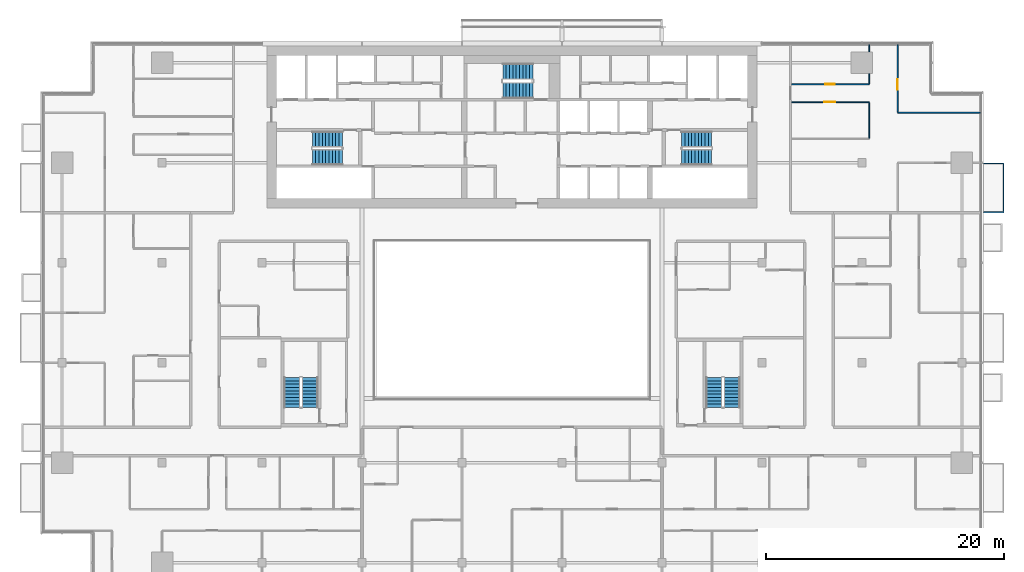
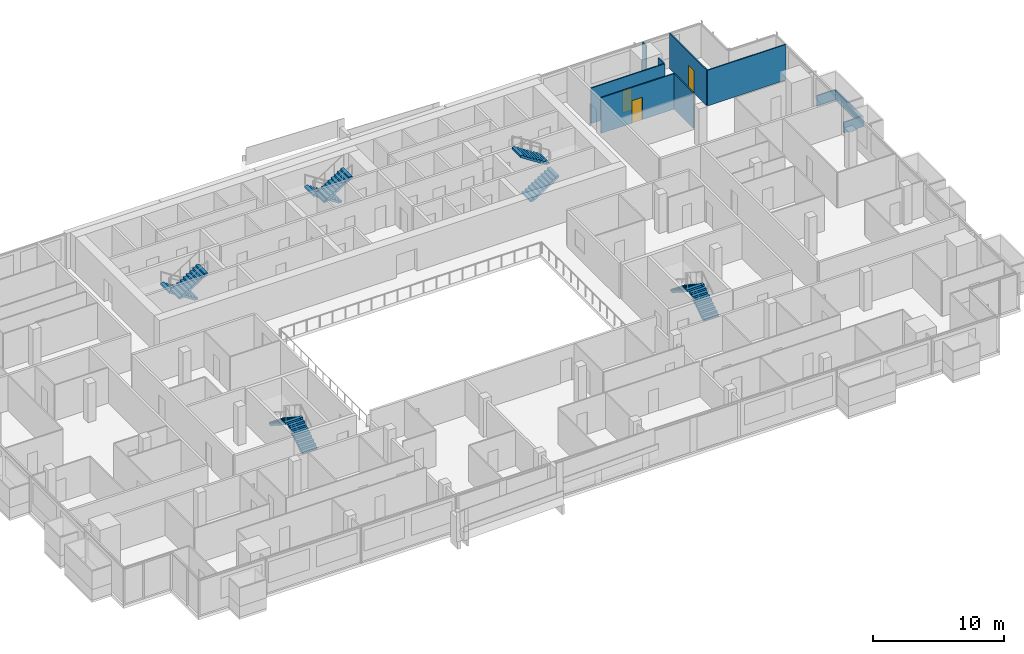
# One storey, part 25 of 28: 10 stair flights, 8 walls, 3 doors, 3 openings, 5 elements without a shape of their own.
"""IFC4 building model written with IfcOpenShell, lengths in metres."""

from ifc_helpers import new_model, si_unit, direction, frame, frame_2d, origin, place, context, subcontext, project, spatial, polyline, rectangle, outline, extrude, material, layer, layer_set, type_object, element, fill, aggregate, save


model = new_model("IFC4")

# Units and contexts
model_context = context("Model", 3, precision=1e-05, world=origin(), true_north=direction((0.0, 1.0)))
body_context = subcontext(model_context, "Body", "Model", "MODEL_VIEW")
ifc_project = project(units=[si_unit("LENGTHUNIT", "METRE"), si_unit("AREAUNIT", "SQUARE_METRE"), si_unit("VOLUMEUNIT", "CUBIC_METRE"), si_unit("PLANEANGLEUNIT", "RADIAN"), si_unit("MASSUNIT", "GRAM", prefix="KILO")], contexts=[model_context])

# Site, building, storey
site_placement = place(None, origin())
site = spatial("IfcSite", under=ifc_project, at=site_placement, CompositionType="ELEMENT")
building_placement = place(site_placement, origin())
building = spatial("IfcBuilding", under=site, at=building_placement, Name="Saffron Gate Tower", CompositionType="ELEMENT")
storey_placement = place(building_placement, frame((0.0, 0.0, 151.050048828125)))
storey = spatial("IfcBuildingStorey", under=building, at=storey_placement, Name="L36", CompositionType="ELEMENT", Elevation=151.050048828125)

# Wall
ifc_material_1 = material(Name="Plasterboard on steel studs", Category="steel")
ifc_layer_1 = layer(ifc_material_1, 0.10009765625)
ifc_layer_set_1 = layer_set([ifc_layer_1], Name="PW1 Partition 100")
wall_type_1 = type_object("IfcWallType", Name="PW1 Partition 100", PredefinedType="PARTITIONING", material=ifc_layer_set_1)
wall_1_placement = place(storey_placement, frame((120.0, 69.60009765625, 0.0), z_axis=(0.0, 0.0, 1.0), x_axis=(1.0, 0.0, 0.0)))
element("IfcWall", 1, at=wall_1_placement, inside=storey, type_object=wall_type_1, Name="Partition C1-53", PredefinedType="PARTITIONING", context=body_context, shape_type="SweptSolid", body=[
    extrude(rectangle(XDim=6.919921875, YDim=0.10009765625, at=frame_2d((3.4599609375, 0.0))), origin(), (0.0, 0.0, 1.0), 3.320068359375),
])

# Wall, opening, door
wall_2_placement = place(storey_placement, frame((117.60009765625, 70.5, 0.0), z_axis=(0.0, 0.0, 1.0), x_axis=(-1.0, 0.0, 0.0)))
wall_2 = element("IfcWall", 2, at=wall_2_placement, inside=storey, type_object=wall_type_1, Name="Partition C1-54", PredefinedType="PARTITIONING", context=body_context, shape_type="SweptSolid", body=[
    extrude(rectangle(XDim=6.5, YDim=0.10009765625, at=frame_2d((3.25, 0.0))), origin(), (0.0, 0.0, 1.0), 3.320068359375),
])
opening_1_placement = place(wall_2_placement, frame((2.85009765625, 0.0, 0.0)))
opening_1 = element("IfcOpeningElement", 3, at=opening_1_placement, cuts=wall_2, Name="Opening C1-36", PredefinedType="OPENING", context=body_context, shape_type="SweptSolid", body=[
    extrude(rectangle(XDim=0.89990234375, YDim=2.10009765625, at=frame_2d((0.449951171875, 1.050048828125))), frame((0.0, 0.06005859375, 0.0), z_axis=(0.0, -1.0, 0.0), x_axis=(1.0, 0.0, 0.0)), (0.0, 0.0, 1.0), 0.1201171875),
])
ifc_material_2 = material(Name="Timber door set", Category="wood")
door_type_1 = type_object("IfcDoorType", Name="RD1 Room door 900x2100", OperationType="NOTDEFINED", PredefinedType="DOOR", material=ifc_material_2)
door_1_placement = place(opening_1_placement, origin())
door_1 = element("IfcDoor", 4, at=door_1_placement, inside=storey, type_object=door_type_1, Name="Door C1-36", OperationType="SINGLE_SWING_RIGHT", OverallHeight=2.10009765625, OverallWidth=0.89990234375, PredefinedType="DOOR", context=body_context, shape_type="SweptSolid", body=[
    extrude(rectangle(XDim=0.89990234375, YDim=2.10009765625, at=frame_2d((0.449951171875, 1.050048828125))), frame((0.0, 0.02490234375, 0.0), z_axis=(0.0, -1.0, 0.0), x_axis=(1.0, 0.0, 0.0)), (0.0, 0.0, 1.0), 0.050048828125),
])
fill(opening_1, door_1)

wall_3_placement = place(storey_placement, frame((111.10009765625, 72.0, 0.0), z_axis=(0.0, 0.0, 1.0), x_axis=(1.0, 0.0, 0.0)))
wall_3 = element("IfcWall", 5, at=wall_3_placement, inside=storey, type_object=wall_type_1, Name="Partition C1-55", PredefinedType="PARTITIONING", context=body_context, shape_type="SweptSolid", body=[
    extrude(rectangle(XDim=6.5, YDim=0.10009765625, at=frame_2d((3.25, 0.0))), origin(), (0.0, 0.0, 1.0), 3.320068359375),
])
opening_2_placement = place(wall_3_placement, frame((2.800048828125, 0.0, 0.0)))
opening_2 = element("IfcOpeningElement", 6, at=opening_2_placement, cuts=wall_3, Name="Opening C1-51", PredefinedType="OPENING", context=body_context, shape_type="SweptSolid", body=[
    extrude(rectangle(XDim=0.800048828125, YDim=2.10009765625, at=frame_2d((0.39990234375, 1.050048828125))), frame((0.0, 0.06005859375, 0.0), z_axis=(0.0, -1.0, 0.0), x_axis=(1.0, 0.0, 0.0)), (0.0, 0.0, 1.0), 0.1201171875),
])
door_type_2 = type_object("IfcDoorType", Name="RD2 Bathroom door 800x2100", OperationType="NOTDEFINED", PredefinedType="DOOR", material=ifc_material_2)
door_2_placement = place(opening_2_placement, origin())
door_2 = element("IfcDoor", 7, at=door_2_placement, inside=storey, type_object=door_type_2, Name="Door C1-51", OperationType="SINGLE_SWING_LEFT", OverallHeight=2.10009765625, OverallWidth=0.800048828125, PredefinedType="DOOR", context=body_context, shape_type="SweptSolid", body=[
    extrude(rectangle(XDim=0.800048828125, YDim=2.10009765625, at=frame_2d((0.39990234375, 1.050048828125))), frame((0.0, 0.02490234375, 0.0), z_axis=(0.0, -1.0, 0.0), x_axis=(1.0, 0.0, 0.0)), (0.0, 0.0, 1.0), 0.050048828125),
])
fill(opening_2, door_2)

# Walls
wall_4_placement = place(storey_placement, frame((117.60009765625, 70.449951171875, 0.0), z_axis=(0.0, 0.0, 1.0), x_axis=(0.0, -1.0, 0.0)))
element("IfcWall", 8, at=wall_4_placement, inside=storey, type_object=wall_type_1, Name="Partition C1-107", PredefinedType="PARTITIONING", context=body_context, shape_type="SweptSolid", body=[
    extrude(rectangle(XDim=2.98779296875, YDim=0.10009765625, at=frame_2d((1.493896484375, 0.0))), origin(), (0.0, 0.0, 1.0), 3.320068359375),
])
wall_5_placement = place(storey_placement, frame((117.60009765625, 72.8798828125, 0.0), z_axis=(0.0, 0.0, 1.0), x_axis=(0.0, -1.0, 0.0)))
element("IfcWall", 9, at=wall_5_placement, inside=storey, type_object=wall_type_1, Name="Partition C1-108", PredefinedType="PARTITIONING", context=body_context, shape_type="SweptSolid", body=[
    extrude(rectangle(XDim=0.829833984375, YDim=0.10009765625, at=frame_2d((0.4150390625, 0.0))), origin(), (0.0, 0.0, 1.0), 3.320068359375),
])
wall_6_placement = place(storey_placement, frame((117.60009765625, 75.320068359375, 0.0), z_axis=(0.0, 0.0, 1.0), x_axis=(0.0, -1.0, 0.0)))
element("IfcWall", 10, at=wall_6_placement, inside=storey, type_object=wall_type_1, Name="Partition C1-109", PredefinedType="PARTITIONING", context=body_context, shape_type="SweptSolid", body=[
    extrude(rectangle(XDim=0.60009765625, YDim=0.10009765625, at=frame_2d((0.300048828125, 0.0))), origin(), (0.0, 0.0, 1.0), 3.320068359375),
])

# Wall, opening, door
wall_7_placement = place(storey_placement, frame((120.0, 75.320068359375, 0.0), z_axis=(0.0, 0.0, 1.0), x_axis=(0.0, -1.0, 0.0)))
wall_7 = element("IfcWall", 11, at=wall_7_placement, inside=storey, type_object=wall_type_1, Name="Partition C1-113", PredefinedType="PARTITIONING", context=body_context, shape_type="SweptSolid", body=[
    extrude(rectangle(XDim=5.670166015625, YDim=0.10009765625, at=frame_2d((2.8349609375, 0.0))), origin(), (0.0, 0.0, 1.0), 3.320068359375),
])
opening_3_placement = place(wall_7_placement, frame((2.89111328125, 0.0, 0.0)))
opening_3 = element("IfcOpeningElement", 12, at=opening_3_placement, cuts=wall_7, Name="Opening C1-35", PredefinedType="OPENING", context=body_context, shape_type="SweptSolid", body=[
    extrude(rectangle(XDim=0.89990234375, YDim=2.10009765625, at=frame_2d((0.449951171875, 1.050048828125))), frame((0.0, 0.06005859375, 0.0), z_axis=(0.0, -1.0, 0.0), x_axis=(1.0, 0.0, 0.0)), (0.0, 0.0, 1.0), 0.1201171875),
])
door_3_placement = place(opening_3_placement, origin())
door_3 = element("IfcDoor", 13, at=door_3_placement, inside=storey, type_object=door_type_1, Name="Door C1-35", OperationType="SINGLE_SWING_RIGHT", OverallHeight=2.10009765625, OverallWidth=0.89990234375, PredefinedType="DOOR", context=body_context, shape_type="SweptSolid", body=[
    extrude(rectangle(XDim=0.89990234375, YDim=2.10009765625, at=frame_2d((0.449951171875, 1.050048828125))), frame((0.0, 0.02490234375, 0.0), z_axis=(0.0, -1.0, 0.0), x_axis=(1.0, 0.0, 0.0)), (0.0, 0.0, 1.0), 0.050048828125),
])
fill(opening_3, door_3)

# Wall
ifc_material_3 = material(Name="Rendered insulated panel, white")
ifc_layer_2 = layer(ifc_material_3, 0.10009765625)
ifc_layer_set_2 = layer_set([ifc_layer_2], Name="WB3 box parapet white")
wall_type_2 = type_object("IfcWallType", Name="WB3 box parapet white", PredefinedType="SOLIDWALL", material=ifc_layer_set_2)
wall_8_placement = place(storey_placement, origin())
element("IfcWall", 14, at=wall_8_placement, inside=storey, type_object=wall_type_2, Name="WINDOW BOX parapet", PredefinedType="SOLIDWALL", context=body_context, shape_type="SweptSolid", body=[
    extrude(outline(polyline([(127.199951171875, 61.199951171875), (127.199951171875, 61.300048828125), (128.8330078125, 61.300048828125), (128.8330078125, 65.300048828125), (127.199951171875, 65.300048828125), (127.199951171875, 65.39990234375), (128.93310546875, 65.39990234375), (128.93310546875, 61.199951171875), (127.199951171875, 61.199951171875)])), origin(), (0.0, 0.0, 1.0), 1.0),
])

# Stair, stair flights
ifc_material_4 = material(Name="Concrete C40", Category="concrete")
stair_type = type_object("IfcStairType", Name="ST7 Stair 1350 wide, 20 risers of 180", PredefinedType="HALF_TURN_STAIR", material=ifc_material_4)
stair_1_placement = place(storey_placement, origin())
stair_1 = element("IfcStair", 15, at=stair_1_placement, inside=storey, type_object=stair_type, Name="L36 Exit stair A", PredefinedType="HALF_TURN_STAIR")
stair_flight_type = type_object("IfcStairFlightType", Name="SF3 Stair flight 1350 wide, riser 180 going 280", PredefinedType="STRAIGHT", material=ifc_material_4)
stair_flight_1_placement = place(storey_placement, frame((73.35009765625, 67.375, 0.0), z_axis=(0.0, 0.0, 1.0), x_axis=(-1.0, 0.0, 0.0)))
stair_flight_1 = element("IfcStairFlight", 16, at=stair_flight_1_placement, type_object=stair_flight_type, Name="ST-A flight 1", NumberOfRisers=10, NumberOfTreads=9, PredefinedType="STRAIGHT", RiserHeight=0.18, TreadLength=0.28, context=body_context, shape_type="SweptSolid", body=[
    extrude(outline(polyline([(0.0, 0.0), (0.0, 0.179931640625), (0.280029296875, 0.179931640625), (0.280029296875, 0.360107421875), (0.56005859375, 0.360107421875), (0.56005859375, 0.5400390625), (0.840087890625, 0.5400390625), (0.840087890625, 0.719970703125), (1.1201171875, 0.719970703125), (1.1201171875, 0.89990234375), (1.39990234375, 0.89990234375), (1.39990234375, 1.080078125), (1.679931640625, 1.080078125), (1.679931640625, 1.260009765625), (1.9599609375, 1.260009765625), (1.9599609375, 1.43994140625), (2.239990234375, 1.43994140625), (2.239990234375, 1.6201171875), (2.52001953125, 1.6201171875), (2.52001953125, 1.800048828125), (2.52001953125, 1.44189453125), (0.277099609375, 0.0), (0.0, 0.0)])), frame((0.0, 0.675048828125, 0.0), z_axis=(0.0, -1.0, 0.0), x_axis=(1.0, 0.0, 0.0)), (0.0, 0.0, 1.0), 1.35009765625),
])
stair_flight_2_placement = place(storey_placement, frame((70.830078125, 65.875, 1.800048828125), z_axis=(0.0, 0.0, 1.0), x_axis=(1.0, 0.0, 0.0)))
stair_flight_2 = element("IfcStairFlight", 17, at=stair_flight_2_placement, type_object=stair_flight_type, Name="ST-A flight 2", NumberOfRisers=10, NumberOfTreads=9, PredefinedType="STRAIGHT", RiserHeight=0.18, TreadLength=0.28, context=body_context, shape_type="SweptSolid", body=[
    extrude(outline(polyline([(0.0, 0.0), (0.0, 0.179931640625), (0.280029296875, 0.179931640625), (0.280029296875, 0.360107421875), (0.56005859375, 0.360107421875), (0.56005859375, 0.5400390625), (0.840087890625, 0.5400390625), (0.840087890625, 0.719970703125), (1.1201171875, 0.719970703125), (1.1201171875, 0.89990234375), (1.39990234375, 0.89990234375), (1.39990234375, 1.080078125), (1.679931640625, 1.080078125), (1.679931640625, 1.260009765625), (1.9599609375, 1.260009765625), (1.9599609375, 1.43994140625), (2.239990234375, 1.43994140625), (2.239990234375, 1.6201171875), (2.52001953125, 1.6201171875), (2.52001953125, 1.800048828125), (2.52001953125, 1.44189453125), (0.277099609375, 0.0), (0.0, 0.0)])), frame((0.0, 0.675048828125, 0.0), z_axis=(0.0, -1.0, 0.0), x_axis=(1.0, 0.0, 0.0)), (0.0, 0.0, 1.0), 1.35009765625),
])
aggregate(stair_1, [stair_flight_1, stair_flight_2])

stair_2_placement = place(storey_placement, origin())
stair_2 = element("IfcStair", 18, at=stair_2_placement, inside=storey, type_object=stair_type, Name="L36 Exit stair B", PredefinedType="HALF_TURN_STAIR")
stair_flight_3_placement = place(storey_placement, frame((101.85009765625, 65.875, 0.0), z_axis=(0.0, 0.0, 1.0), x_axis=(1.0, 0.0, 0.0)))
stair_flight_3 = element("IfcStairFlight", 19, at=stair_flight_3_placement, type_object=stair_flight_type, Name="ST-B flight 1", NumberOfRisers=10, NumberOfTreads=9, PredefinedType="STRAIGHT", RiserHeight=0.18, TreadLength=0.28, context=body_context, shape_type="SweptSolid", body=[
    extrude(outline(polyline([(0.0, 0.0), (0.0, 0.179931640625), (0.280029296875, 0.179931640625), (0.280029296875, 0.360107421875), (0.56005859375, 0.360107421875), (0.56005859375, 0.5400390625), (0.840087890625, 0.5400390625), (0.840087890625, 0.719970703125), (1.1201171875, 0.719970703125), (1.1201171875, 0.89990234375), (1.39990234375, 0.89990234375), (1.39990234375, 1.080078125), (1.679931640625, 1.080078125), (1.679931640625, 1.260009765625), (1.9599609375, 1.260009765625), (1.9599609375, 1.43994140625), (2.239990234375, 1.43994140625), (2.239990234375, 1.6201171875), (2.52001953125, 1.6201171875), (2.52001953125, 1.800048828125), (2.52001953125, 1.44189453125), (0.277099609375, 0.0), (0.0, 0.0)])), frame((0.0, 0.675048828125, 0.0), z_axis=(0.0, -1.0, 0.0), x_axis=(1.0, 0.0, 0.0)), (0.0, 0.0, 1.0), 1.35009765625),
])
stair_flight_4_placement = place(storey_placement, frame((104.3701171875, 67.375, 1.800048828125), z_axis=(0.0, 0.0, 1.0), x_axis=(-1.0, 0.0, 0.0)))
stair_flight_4 = element("IfcStairFlight", 20, at=stair_flight_4_placement, type_object=stair_flight_type, Name="ST-B flight 2", NumberOfRisers=10, NumberOfTreads=9, PredefinedType="STRAIGHT", RiserHeight=0.18, TreadLength=0.28, context=body_context, shape_type="SweptSolid", body=[
    extrude(outline(polyline([(0.0, 0.0), (0.0, 0.179931640625), (0.280029296875, 0.179931640625), (0.280029296875, 0.360107421875), (0.56005859375, 0.360107421875), (0.56005859375, 0.5400390625), (0.840087890625, 0.5400390625), (0.840087890625, 0.719970703125), (1.1201171875, 0.719970703125), (1.1201171875, 0.89990234375), (1.39990234375, 0.89990234375), (1.39990234375, 1.080078125), (1.679931640625, 1.080078125), (1.679931640625, 1.260009765625), (1.9599609375, 1.260009765625), (1.9599609375, 1.43994140625), (2.239990234375, 1.43994140625), (2.239990234375, 1.6201171875), (2.52001953125, 1.6201171875), (2.52001953125, 1.800048828125), (2.52001953125, 1.44189453125), (0.277099609375, 0.0), (0.0, 0.0)])), frame((0.0, 0.675048828125, 0.0), z_axis=(0.0, -1.0, 0.0), x_axis=(1.0, 0.0, 0.0)), (0.0, 0.0, 1.0), 1.35009765625),
])
aggregate(stair_2, [stair_flight_3, stair_flight_4])

stair_3_placement = place(storey_placement, origin())
stair_3 = element("IfcStair", 21, at=stair_3_placement, inside=storey, type_object=stair_type, Name="L36 Exit stair C", PredefinedType="HALF_TURN_STAIR")
stair_flight_5_placement = place(storey_placement, frame((89.35009765625, 73.074951171875, 0.0), z_axis=(0.0, 0.0, 1.0), x_axis=(-1.0, 0.0, 0.0)))
stair_flight_5 = element("IfcStairFlight", 22, at=stair_flight_5_placement, type_object=stair_flight_type, Name="ST-C flight 1", NumberOfRisers=10, NumberOfTreads=9, PredefinedType="STRAIGHT", RiserHeight=0.18, TreadLength=0.28, context=body_context, shape_type="SweptSolid", body=[
    extrude(outline(polyline([(0.0, 0.0), (0.0, 0.179931640625), (0.280029296875, 0.179931640625), (0.280029296875, 0.360107421875), (0.56005859375, 0.360107421875), (0.56005859375, 0.5400390625), (0.840087890625, 0.5400390625), (0.840087890625, 0.719970703125), (1.1201171875, 0.719970703125), (1.1201171875, 0.89990234375), (1.39990234375, 0.89990234375), (1.39990234375, 1.080078125), (1.679931640625, 1.080078125), (1.679931640625, 1.260009765625), (1.9599609375, 1.260009765625), (1.9599609375, 1.43994140625), (2.239990234375, 1.43994140625), (2.239990234375, 1.6201171875), (2.52001953125, 1.6201171875), (2.52001953125, 1.800048828125), (2.52001953125, 1.44189453125), (0.277099609375, 0.0), (0.0, 0.0)])), frame((0.0, 0.675048828125, 0.0), z_axis=(0.0, -1.0, 0.0), x_axis=(1.0, 0.0, 0.0)), (0.0, 0.0, 1.0), 1.35009765625),
])
stair_flight_6_placement = place(storey_placement, frame((86.830078125, 71.47509765625, 1.800048828125), z_axis=(0.0, 0.0, 1.0), x_axis=(1.0, 0.0, 0.0)))
stair_flight_6 = element("IfcStairFlight", 23, at=stair_flight_6_placement, type_object=stair_flight_type, Name="ST-C flight 2", NumberOfRisers=10, NumberOfTreads=9, PredefinedType="STRAIGHT", RiserHeight=0.18, TreadLength=0.28, context=body_context, shape_type="SweptSolid", body=[
    extrude(outline(polyline([(0.0, 0.0), (0.0, 0.179931640625), (0.280029296875, 0.179931640625), (0.280029296875, 0.360107421875), (0.56005859375, 0.360107421875), (0.56005859375, 0.5400390625), (0.840087890625, 0.5400390625), (0.840087890625, 0.719970703125), (1.1201171875, 0.719970703125), (1.1201171875, 0.89990234375), (1.39990234375, 0.89990234375), (1.39990234375, 1.080078125), (1.679931640625, 1.080078125), (1.679931640625, 1.260009765625), (1.9599609375, 1.260009765625), (1.9599609375, 1.43994140625), (2.239990234375, 1.43994140625), (2.239990234375, 1.6201171875), (2.52001953125, 1.6201171875), (2.52001953125, 1.800048828125), (2.52001953125, 1.44189453125), (0.277099609375, 0.0), (0.0, 0.0)])), frame((0.0, 0.675048828125, 0.0), z_axis=(0.0, -1.0, 0.0), x_axis=(1.0, 0.0, 0.0)), (0.0, 0.0, 1.0), 1.35009765625),
])
aggregate(stair_3, [stair_flight_5, stair_flight_6])

stair_4_placement = place(storey_placement, origin())
stair_4 = element("IfcStair", 24, at=stair_4_placement, inside=storey, type_object=stair_type, Name="L36 Exit stair D", PredefinedType="HALF_TURN_STAIR")
stair_flight_7_placement = place(storey_placement, frame((70.625, 44.85009765625, 0.0), z_axis=(0.0, 0.0, 1.0), x_axis=(0.0, 1.0, 0.0)))
stair_flight_7 = element("IfcStairFlight", 25, at=stair_flight_7_placement, type_object=stair_flight_type, Name="ST-D flight 1", NumberOfRisers=10, NumberOfTreads=9, PredefinedType="STRAIGHT", RiserHeight=0.18, TreadLength=0.28, context=body_context, shape_type="SweptSolid", body=[
    extrude(outline(polyline([(0.0, 0.0), (0.0, 0.179931640625), (0.280029296875, 0.179931640625), (0.280029296875, 0.360107421875), (0.56005859375, 0.360107421875), (0.56005859375, 0.5400390625), (0.840087890625, 0.5400390625), (0.840087890625, 0.719970703125), (1.1201171875, 0.719970703125), (1.1201171875, 0.89990234375), (1.39990234375, 0.89990234375), (1.39990234375, 1.080078125), (1.679931640625, 1.080078125), (1.679931640625, 1.260009765625), (1.9599609375, 1.260009765625), (1.9599609375, 1.43994140625), (2.239990234375, 1.43994140625), (2.239990234375, 1.6201171875), (2.52001953125, 1.6201171875), (2.52001953125, 1.800048828125), (2.52001953125, 1.44189453125), (0.277099609375, 0.0), (0.0, 0.0)])), frame((0.0, 0.675048828125, 0.0), z_axis=(0.0, -1.0, 0.0), x_axis=(1.0, 0.0, 0.0)), (0.0, 0.0, 1.0), 1.35009765625),
])
stair_flight_8_placement = place(storey_placement, frame((69.125, 47.3701171875, 1.800048828125), z_axis=(0.0, 0.0, 1.0), x_axis=(0.0, -1.0, 0.0)))
stair_flight_8 = element("IfcStairFlight", 26, at=stair_flight_8_placement, type_object=stair_flight_type, Name="ST-D flight 2", NumberOfRisers=10, NumberOfTreads=9, PredefinedType="STRAIGHT", RiserHeight=0.18, TreadLength=0.28, context=body_context, shape_type="SweptSolid", body=[
    extrude(outline(polyline([(0.0, 0.0), (0.0, 0.179931640625), (0.280029296875, 0.179931640625), (0.280029296875, 0.360107421875), (0.56005859375, 0.360107421875), (0.56005859375, 0.5400390625), (0.840087890625, 0.5400390625), (0.840087890625, 0.719970703125), (1.1201171875, 0.719970703125), (1.1201171875, 0.89990234375), (1.39990234375, 0.89990234375), (1.39990234375, 1.080078125), (1.679931640625, 1.080078125), (1.679931640625, 1.260009765625), (1.9599609375, 1.260009765625), (1.9599609375, 1.43994140625), (2.239990234375, 1.43994140625), (2.239990234375, 1.6201171875), (2.52001953125, 1.6201171875), (2.52001953125, 1.800048828125), (2.52001953125, 1.44189453125), (0.277099609375, 0.0), (0.0, 0.0)])), frame((0.0, 0.675048828125, 0.0), z_axis=(0.0, -1.0, 0.0), x_axis=(1.0, 0.0, 0.0)), (0.0, 0.0, 1.0), 1.35009765625),
])
aggregate(stair_4, [stair_flight_7, stair_flight_8])

stair_5_placement = place(storey_placement, origin())
stair_5 = element("IfcStair", 27, at=stair_5_placement, inside=storey, type_object=stair_type, Name="L36 Exit stair E", PredefinedType="HALF_TURN_STAIR")
stair_flight_9_placement = place(storey_placement, frame((106.074951171875, 44.85009765625, 0.0), z_axis=(0.0, 0.0, 1.0), x_axis=(0.0, 1.0, 0.0)))
stair_flight_9 = element("IfcStairFlight", 28, at=stair_flight_9_placement, type_object=stair_flight_type, Name="ST-E flight 1", NumberOfRisers=10, NumberOfTreads=9, PredefinedType="STRAIGHT", RiserHeight=0.18, TreadLength=0.28, context=body_context, shape_type="SweptSolid", body=[
    extrude(outline(polyline([(0.0, 0.0), (0.0, 0.179931640625), (0.280029296875, 0.179931640625), (0.280029296875, 0.360107421875), (0.56005859375, 0.360107421875), (0.56005859375, 0.5400390625), (0.840087890625, 0.5400390625), (0.840087890625, 0.719970703125), (1.1201171875, 0.719970703125), (1.1201171875, 0.89990234375), (1.39990234375, 0.89990234375), (1.39990234375, 1.080078125), (1.679931640625, 1.080078125), (1.679931640625, 1.260009765625), (1.9599609375, 1.260009765625), (1.9599609375, 1.43994140625), (2.239990234375, 1.43994140625), (2.239990234375, 1.6201171875), (2.52001953125, 1.6201171875), (2.52001953125, 1.800048828125), (2.52001953125, 1.44189453125), (0.277099609375, 0.0), (0.0, 0.0)])), frame((0.0, 0.675048828125, 0.0), z_axis=(0.0, -1.0, 0.0), x_axis=(1.0, 0.0, 0.0)), (0.0, 0.0, 1.0), 1.35009765625),
])
stair_flight_10_placement = place(storey_placement, frame((104.574951171875, 47.3701171875, 1.800048828125), z_axis=(0.0, 0.0, 1.0), x_axis=(0.0, -1.0, 0.0)))
stair_flight_10 = element("IfcStairFlight", 29, at=stair_flight_10_placement, type_object=stair_flight_type, Name="ST-E flight 2", NumberOfRisers=10, NumberOfTreads=9, PredefinedType="STRAIGHT", RiserHeight=0.18, TreadLength=0.28, context=body_context, shape_type="SweptSolid", body=[
    extrude(outline(polyline([(0.0, 0.0), (0.0, 0.179931640625), (0.280029296875, 0.179931640625), (0.280029296875, 0.360107421875), (0.56005859375, 0.360107421875), (0.56005859375, 0.5400390625), (0.840087890625, 0.5400390625), (0.840087890625, 0.719970703125), (1.1201171875, 0.719970703125), (1.1201171875, 0.89990234375), (1.39990234375, 0.89990234375), (1.39990234375, 1.080078125), (1.679931640625, 1.080078125), (1.679931640625, 1.260009765625), (1.9599609375, 1.260009765625), (1.9599609375, 1.43994140625), (2.239990234375, 1.43994140625), (2.239990234375, 1.6201171875), (2.52001953125, 1.6201171875), (2.52001953125, 1.800048828125), (2.52001953125, 1.44189453125), (0.277099609375, 0.0), (0.0, 0.0)])), frame((0.0, 0.675048828125, 0.0), z_axis=(0.0, -1.0, 0.0), x_axis=(1.0, 0.0, 0.0)), (0.0, 0.0, 1.0), 1.35009765625),
])
aggregate(stair_5, [stair_flight_9, stair_flight_10])

save(model, "model.ifc")
